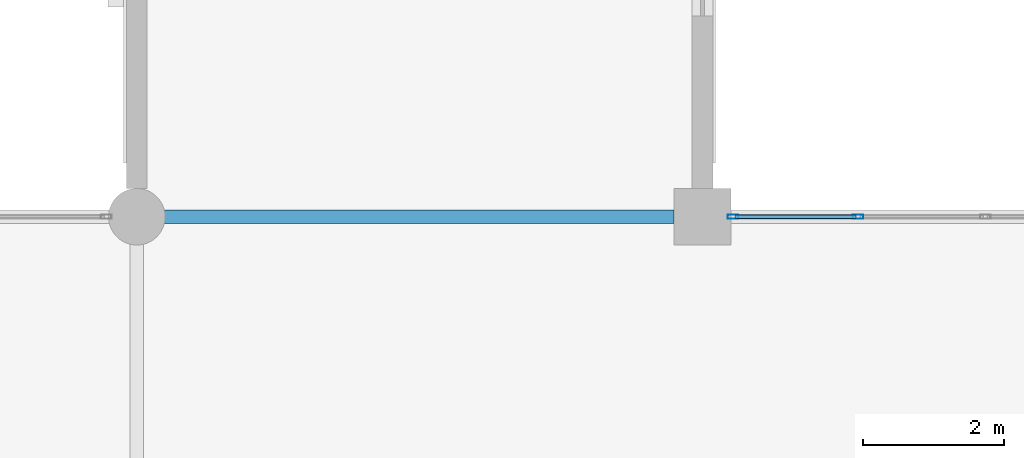
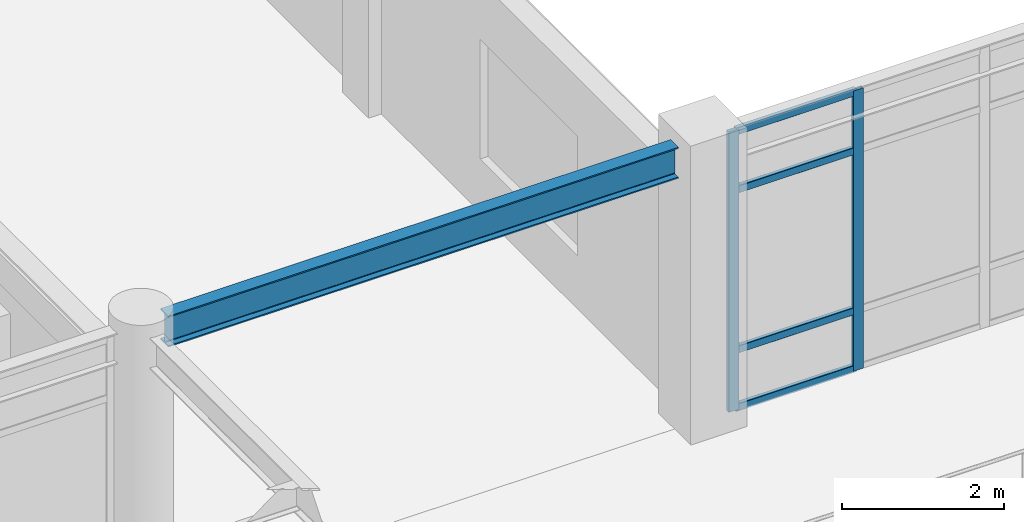
# One storey, part 36 of 78: 6 members, 1 beam, 1 element without a shape of its own.
"""IFC4 building model written with IfcOpenShell, lengths in metres."""

from ifc_helpers import new_model, si_unit, direction, frame, origin, origin_2d, place, context, subcontext, project, spatial, hollow_rectangle, i_section, extrude, material, material_profile, profile_set, type_object, element, aggregate, save


model = new_model("IFC4")

# Units and contexts
model_context = context("Model", 3, precision=1e-05, world=origin(), true_north=direction((0.0, 1.0)))
body_context = subcontext(model_context, "Body", "Model", "MODEL_VIEW")
ifc_project = project(units=[si_unit("LENGTHUNIT", "METRE"), si_unit("AREAUNIT", "SQUARE_METRE"), si_unit("VOLUMEUNIT", "CUBIC_METRE"), si_unit("PLANEANGLEUNIT", "RADIAN"), si_unit("MASSUNIT", "GRAM", prefix="KILO")], contexts=[model_context])

# Site, building, storey
site_placement = place(None, origin())
site = spatial("IfcSite", under=ifc_project, at=site_placement, CompositionType="ELEMENT")
building_placement = place(site_placement, origin())
building = spatial("IfcBuilding", under=site, at=building_placement, Name="Solmirada Galleria", CompositionType="ELEMENT")
storey_placement = place(building_placement, frame((0.0, 0.0, 23.89990234375)))
storey = spatial("IfcBuildingStorey", under=building, at=storey_placement, Name="L05", CompositionType="ELEMENT", Elevation=23.89990234375)

# Beam
ifc_material_1 = material(Name="Steel S355 / ASTM A992 Grade 50", Category="steel")
ifc_material_profile_1 = material_profile(ifc_material_1, i_section(OverallWidth=0.193115234375, OverallDepth=0.466064453125, WebThickness=0.011474609375, FlangeThickness=0.01904296875, FilletRadius=0.013916015625, at=origin_2d()), Name="W18X65")
ifc_profile_set_1 = profile_set([ifc_material_profile_1], Name="Steel S355 / ASTM A992 Grade 50")
beam_type = type_object("IfcBeamType", Name="BM-GIRD-W18C", PredefinedType="BEAM", material=ifc_profile_set_1)
beam_placement = place(storey_placement, frame((88.3359375, 72.0, 4.067138671875), z_axis=(1.0, 0.0, 0.0), x_axis=(0.0, 1.0, 0.0)))
element("IfcBeam", 1, at=beam_placement, inside=storey, type_object=beam_type, Name="Primary beam L06 X(88..96, 72)", PredefinedType="BEAM", context=body_context, shape_type="SweptSolid", body=[
    extrude(i_section(OverallWidth=0.193115234375, OverallDepth=0.466064453125, WebThickness=0.011474609375, FlangeThickness=0.01904296875, FilletRadius=0.013916015625, at=origin_2d()), origin(), (0.0, 0.0, 1.0), 7.26416015625),
])

# Curtain wall, members
ifc_material_2 = material(Name="Impact-resistant low-E double glazing", Category="glass")
curtain_wall_type = type_object("IfcCurtainWallType", Name="CW-FZ3-L05-B4-L072", PredefinedType="NOTDEFINED", material=ifc_material_2)
curtain_wall_placement = place(storey_placement, origin())
curtain_wall = element("IfcCurtainWall", 2, at=curtain_wall_placement, inside=storey, type_object=curtain_wall_type, Name="Terrace and arcade storefront CW-L05-174", PredefinedType="NOTDEFINED")
ifc_material_3 = material(Name="Anodised aluminium framing", Category="aluminium")
ifc_material_profile_2 = material_profile(ifc_material_3, hollow_rectangle(XDim=0.06005859375, YDim=0.14990234375, WallThickness=0.00341796875, InnerFilletRadius=0.00341796875, OuterFilletRadius=0.007080078125, at=origin_2d()), Name="ALU-MULL-150X60")
ifc_profile_set_2 = profile_set([ifc_material_profile_2], Name="Anodised aluminium framing")
member_type_1 = type_object("IfcMemberType", Name="CW-MULL-150", PredefinedType="MULLION", material=ifc_profile_set_2)
member_1_placement = place(storey_placement, frame((96.431884765625, 72.0, 0.0), z_axis=(0.0, 0.0, 1.0), x_axis=(0.0, 1.0, 0.0)))
member_1 = element("IfcMember", 3, at=member_1_placement, type_object=member_type_1, Name="CW33 mullion 1", PredefinedType="MULLION", context=body_context, shape_type="SweptSolid", body=[
    extrude(hollow_rectangle(XDim=0.06005859375, YDim=0.14990234375, WallThickness=0.00341796875, InnerFilletRadius=0.00341796875, OuterFilletRadius=0.007080078125, at=origin_2d()), origin(), (0.0, 0.0, 1.0), 4.22021484375),
])
member_2_placement = place(storey_placement, frame((98.200927734375, 72.0, 0.0), z_axis=(0.0, 0.0, 1.0), x_axis=(0.0, 1.0, 0.0)))
member_2 = element("IfcMember", 4, at=member_2_placement, type_object=member_type_1, Name="CW33 mullion 2", PredefinedType="MULLION", context=body_context, shape_type="SweptSolid", body=[
    extrude(hollow_rectangle(XDim=0.06005859375, YDim=0.14990234375, WallThickness=0.00341796875, InnerFilletRadius=0.00341796875, OuterFilletRadius=0.007080078125, at=origin_2d()), origin(), (0.0, 0.0, 1.0), 4.22021484375),
])
ifc_material_profile_3 = material_profile(ifc_material_3, hollow_rectangle(XDim=0.06005859375, YDim=0.110107421875, WallThickness=0.003173828125, InnerFilletRadius=0.003173828125, OuterFilletRadius=0.00634765625, at=origin_2d()), Name="ALU-TRAN-110X60")
ifc_profile_set_3 = profile_set([ifc_material_profile_3], Name="Anodised aluminium framing")
member_type_2 = type_object("IfcMemberType", Name="CW-TRAN-110", PredefinedType="USERDEFINED", material=ifc_profile_set_3)
member_3_placement = place(storey_placement, frame((96.4619140625, 72.0, 0.030029296875), z_axis=(1.0, 0.0, 0.0), x_axis=(0.0, 1.0, 0.0)))
member_3 = element("IfcMember", 5, at=member_3_placement, type_object=member_type_2, Name="CW33 transom 1.1", ObjectType="TRANSOM", PredefinedType="USERDEFINED", context=body_context, shape_type="SweptSolid", body=[
    extrude(hollow_rectangle(XDim=0.06005859375, YDim=0.110107421875, WallThickness=0.003173828125, InnerFilletRadius=0.003173828125, OuterFilletRadius=0.00634765625, at=origin_2d()), origin(), (0.0, 0.0, 1.0), 1.708984375),
])
member_4_placement = place(storey_placement, frame((96.4619140625, 72.0, 0.900146484375), z_axis=(1.0, 0.0, 0.0), x_axis=(0.0, 1.0, 0.0)))
member_4 = element("IfcMember", 6, at=member_4_placement, type_object=member_type_2, Name="CW33 transom 1.2", ObjectType="TRANSOM", PredefinedType="USERDEFINED", context=body_context, shape_type="SweptSolid", body=[
    extrude(hollow_rectangle(XDim=0.06005859375, YDim=0.110107421875, WallThickness=0.003173828125, InnerFilletRadius=0.003173828125, OuterFilletRadius=0.00634765625, at=origin_2d()), origin(), (0.0, 0.0, 1.0), 1.708984375),
])
member_5_placement = place(storey_placement, frame((96.4619140625, 72.0, 3.31005859375), z_axis=(1.0, 0.0, 0.0), x_axis=(0.0, 1.0, 0.0)))
member_5 = element("IfcMember", 7, at=member_5_placement, type_object=member_type_2, Name="CW33 transom 1.3", ObjectType="TRANSOM", PredefinedType="USERDEFINED", context=body_context, shape_type="SweptSolid", body=[
    extrude(hollow_rectangle(XDim=0.06005859375, YDim=0.110107421875, WallThickness=0.003173828125, InnerFilletRadius=0.003173828125, OuterFilletRadius=0.00634765625, at=origin_2d()), origin(), (0.0, 0.0, 1.0), 1.708984375),
])
member_6_placement = place(storey_placement, frame((96.4619140625, 72.0, 4.190185546875), z_axis=(1.0, 0.0, 0.0), x_axis=(0.0, 1.0, 0.0)))
member_6 = element("IfcMember", 8, at=member_6_placement, type_object=member_type_2, Name="CW33 transom 1.4", ObjectType="TRANSOM", PredefinedType="USERDEFINED", context=body_context, shape_type="SweptSolid", body=[
    extrude(hollow_rectangle(XDim=0.06005859375, YDim=0.110107421875, WallThickness=0.003173828125, InnerFilletRadius=0.003173828125, OuterFilletRadius=0.00634765625, at=origin_2d()), origin(), (0.0, 0.0, 1.0), 1.708984375),
])
aggregate(curtain_wall, [member_1, member_2, member_3, member_4, member_5, member_6])

save(model, "model.ifc")
